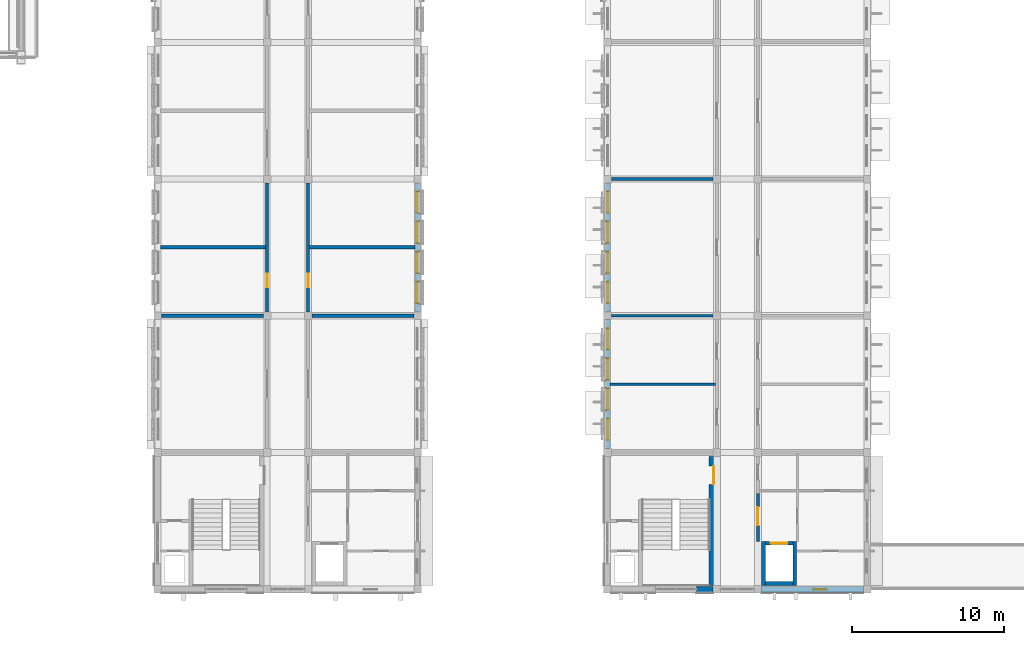
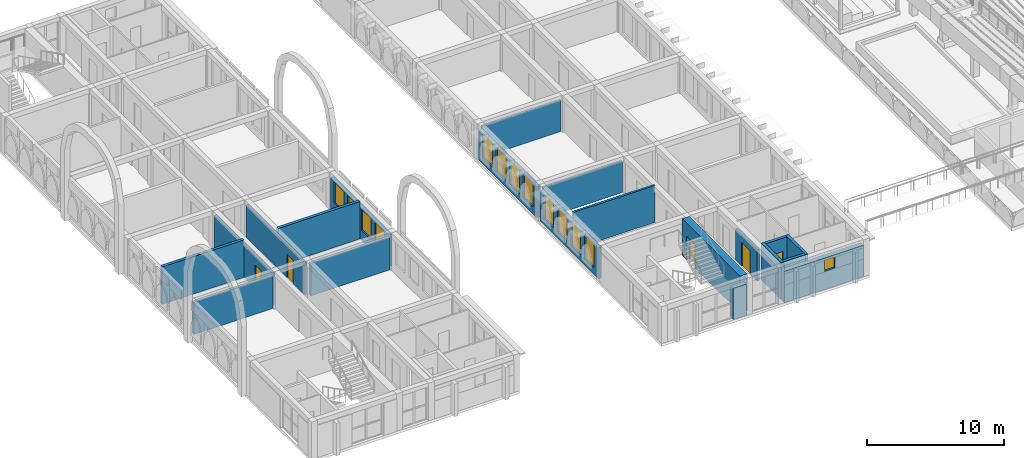
# One storey, part 39 of 65: 20 walls, 13 windows, 5 doors, 18 openings.
"""IFC4 building model written with IfcOpenShell, lengths in metres."""

from ifc_helpers import new_model, si_unit, direction, frame, frame_2d, origin, place, context, subcontext, project, spatial, rectangle, extrude, material, layer, layer_set, type_object, element, fill, save


model = new_model("IFC4")

# Units and contexts
model_context = context("Model", 3, precision=1e-05, world=origin(), true_north=direction((0.0, 1.0)))
body_context = subcontext(model_context, "Body", "Model", "MODEL_VIEW")
ifc_project = project(units=[si_unit("LENGTHUNIT", "METRE"), si_unit("AREAUNIT", "SQUARE_METRE"), si_unit("VOLUMEUNIT", "CUBIC_METRE"), si_unit("PLANEANGLEUNIT", "RADIAN"), si_unit("MASSUNIT", "GRAM", prefix="KILO")], contexts=[model_context])

# Site, building, storey
site_placement = place(None, origin())
site = spatial("IfcSite", under=ifc_project, at=site_placement, CompositionType="ELEMENT")
building_placement = place(site_placement, origin())
building = spatial("IfcBuilding", under=site, at=building_placement, Name="Elbe Cascade School", CompositionType="ELEMENT")
storey_placement = place(building_placement, frame((0.0, 0.0, 11.699951171875)))
storey = spatial("IfcBuildingStorey", under=building, at=storey_placement, Name="L03", CompositionType="ELEMENT", Elevation=11.699951171875)

# Walls
ifc_material_1 = material(Name="Masonry - lime-sand block, plastered", Category="masonry")
ifc_layer_1 = layer(ifc_material_1, 0.239990234375)
ifc_layer_set_1 = layer_set([ifc_layer_1], Name="Masonry - lime-sand block, plastered")
wall_type_1 = type_object("IfcWallType", Name="Bar acoustic partition wall lime-sand block 240", PredefinedType="PARTITIONING", material=ifc_layer_set_1)
wall_1_placement = place(storey_placement, frame((69.25, 24.0, 0.0), z_axis=(0.0, 0.0, 1.0), x_axis=(1.0, 0.0, 0.0)))
element("IfcWall", 1, at=wall_1_placement, inside=storey, type_object=wall_type_1, Name="Bar acoustic partition wall lime-sand block 240", PredefinedType="PARTITIONING", context=body_context, shape_type="SweptSolid", body=[
    extrude(rectangle(XDim=6.699951171875, YDim=0.239990234375, at=frame_2d((3.35009765625, 0.0))), origin(), (0.0, 0.0, 1.0), 2.900146484375),
])
wall_2_placement = place(storey_placement, frame((69.179931640625, 28.5, 0.0), z_axis=(0.0, 0.0, 1.0), x_axis=(1.0, 0.0, 0.0)))
element("IfcWall", 2, at=wall_2_placement, inside=storey, type_object=wall_type_1, Name="Bar acoustic partition wall lime-sand block 240", PredefinedType="PARTITIONING", context=body_context, shape_type="SweptSolid", body=[
    extrude(rectangle(XDim=6.920166015625, YDim=0.239990234375, at=frame_2d((3.4599609375, 0.0))), origin(), (0.0, 0.0, 1.0), 3.35009765625),
])
wall_3_placement = place(storey_placement, frame((79.14990234375, 24.0, 0.0), z_axis=(0.0, 0.0, 1.0), x_axis=(1.0, 0.0, 0.0)))
element("IfcWall", 3, at=wall_3_placement, inside=storey, type_object=wall_type_1, Name="Bar acoustic partition wall lime-sand block 240", PredefinedType="PARTITIONING", context=body_context, shape_type="SweptSolid", body=[
    extrude(rectangle(XDim=6.7001953125, YDim=0.239990234375, at=frame_2d((3.35009765625, 0.0))), origin(), (0.0, 0.0, 1.0), 2.900146484375),
])
wall_4_placement = place(storey_placement, frame((79.0, 28.5, 0.0), z_axis=(0.0, 0.0, 1.0), x_axis=(1.0, 0.0, 0.0)))
element("IfcWall", 4, at=wall_4_placement, inside=storey, type_object=wall_type_1, Name="Bar acoustic partition wall lime-sand block 240", PredefinedType="PARTITIONING", context=body_context, shape_type="SweptSolid", body=[
    extrude(rectangle(XDim=6.919921875, YDim=0.239990234375, at=frame_2d((3.4599609375, 0.0))), origin(), (0.0, 0.0, 1.0), 3.35009765625),
])
ifc_material_2 = material(Name="Masonry - lime-sand block, plastered", Category="masonry")
ifc_layer_2 = layer(ifc_material_2, 0.175048828125)
ifc_layer_set_2 = layer_set([ifc_layer_2], Name="Masonry - lime-sand block, plastered")
wall_type_2 = type_object("IfcWallType", Name="Bar classroom partition wall lime-sand block 175", PredefinedType="PARTITIONING", material=ifc_layer_set_2)
wall_5_placement = place(storey_placement, frame((98.780029296875, 19.5, 0.0), z_axis=(0.0, 0.0, 1.0), x_axis=(1.0, 0.0, 0.0)))
element("IfcWall", 5, at=wall_5_placement, inside=storey, type_object=wall_type_2, Name="Bar classroom partition wall lime-sand block 175", PredefinedType="PARTITIONING", context=body_context, shape_type="SweptSolid", body=[
    extrude(rectangle(XDim=6.919921875, YDim=0.175048828125, at=frame_2d((3.4599609375, 0.0))), origin(), (0.0, 0.0, 1.0), 3.300048828125),
])
for number, where, z_axis, x_axis, name in (
    (6, (98.85009765625, 24.0, 0.0), (0.0, 0.0, 1.0), (1.0, 0.0, 0.0), "Bar classroom partition wall lime-sand block 175"),
    (7, (98.85009765625, 33.0, 0.0), (0.0, 0.0, 1.0), (1.0, 0.0, 0.0), "Bar classroom partition wall lime-sand block 175"),
):
    element("IfcWall", number, at=place(storey_placement, frame(where, z_axis=z_axis, x_axis=x_axis)), inside=storey, type_object=wall_type_2, Name=name, PredefinedType="PARTITIONING", context=body_context, shape_type="SweptSolid", body=[
        extrude(rectangle(XDim=6.699951171875, YDim=0.175048828125, at=frame_2d((3.35009765625, 0.0))), origin(), (0.0, 0.0, 1.0), 2.800048828125),
    ])

# Wall, opening, door
ifc_material_3 = material(Name="Masonry - lime-sand block, plastered", Category="masonry")
ifc_layer_3 = layer(ifc_material_3, 0.199951171875)
ifc_layer_set_3 = layer_set([ifc_layer_3], Name="Masonry - lime-sand block, plastered")
wall_type_3 = type_object("IfcWallType", Name="Bar corridor wall lime-sand block 200 EI 30", PredefinedType="PARTITIONING", material=ifc_layer_set_3)
wall_6_placement = place(storey_placement, frame((76.199951171875, 24.25, 0.0), z_axis=(0.0, 0.0, 1.0), x_axis=(0.0, 1.0, 0.0)))
wall_6 = element("IfcWall", 8, at=wall_6_placement, inside=storey, type_object=wall_type_3, Name="Bar corridor wall lime-sand block 200 EI 30", PredefinedType="PARTITIONING", context=body_context, shape_type="SweptSolid", body=[
    extrude(rectangle(XDim=8.5, YDim=0.199951171875, at=frame_2d((4.25, 0.0))), origin(), (0.0, 0.0, 1.0), 2.900146484375),
])
opening_1_placement = place(wall_6_placement, frame((1.614990234375, 0.0, 0.0)))
opening_1 = element("IfcOpeningElement", 9, at=opening_1_placement, cuts=wall_6, Name="Opening D3.012", PredefinedType="OPENING", context=body_context, shape_type="SweptSolid", body=[
    extrude(rectangle(XDim=0.89990234375, YDim=2.10009765625, at=frame_2d((0.449951171875, 1.050048828125))), frame((0.0, 0.10986328125, 0.0), z_axis=(0.0, -1.0, 0.0), x_axis=(1.0, 0.0, 0.0)), (0.0, 0.0, 1.0), 0.219970703125),
])
ifc_material_4 = material(Name="Timber door leaf, fire-resisting, steel frame", Category="steel")
door_type_1 = type_object("IfcDoorType", Name="Bar door FD30 900x2100", OperationType="NOTDEFINED", PredefinedType="DOOR", material=ifc_material_4)
door_1_placement = place(opening_1_placement, origin())
door_1 = element("IfcDoor", 10, at=door_1_placement, inside=storey, type_object=door_type_1, Name="Door A3.21", OperationType="SINGLE_SWING_RIGHT", OverallHeight=2.10009765625, OverallWidth=0.89990234375, PredefinedType="DOOR", context=body_context, shape_type="SweptSolid", body=[
    extrude(rectangle(XDim=0.89990234375, YDim=2.10009765625, at=frame_2d((0.449951171875, 1.050048828125))), frame((0.0, 0.02490234375, 0.0), z_axis=(0.0, -1.0, 0.0), x_axis=(1.0, 0.0, 0.0)), (0.0, 0.0, 1.0), 0.050048828125),
])
fill(opening_1, door_1)

wall_7_placement = place(storey_placement, frame((78.89990234375, 32.75, 0.0), z_axis=(0.0, 0.0, 1.0), x_axis=(0.0, -1.0, 0.0)))
wall_7 = element("IfcWall", 11, at=wall_7_placement, inside=storey, type_object=wall_type_3, Name="Bar corridor wall lime-sand block 200 EI 30", PredefinedType="PARTITIONING", context=body_context, shape_type="SweptSolid", body=[
    extrude(rectangle(XDim=8.5, YDim=0.199951171875, at=frame_2d((4.25, 0.0))), origin(), (0.0, 0.0, 1.0), 2.900146484375),
])
opening_2_placement = place(wall_7_placement, frame((5.985107421875, 0.0, 0.0)))
opening_2 = element("IfcOpeningElement", 12, at=opening_2_placement, cuts=wall_7, Name="Opening D3.013", PredefinedType="OPENING", context=body_context, shape_type="SweptSolid", body=[
    extrude(rectangle(XDim=0.89990234375, YDim=2.10009765625, at=frame_2d((0.449951171875, 1.050048828125))), frame((0.0, 0.10986328125, 0.0), z_axis=(0.0, -1.0, 0.0), x_axis=(1.0, 0.0, 0.0)), (0.0, 0.0, 1.0), 0.219970703125),
])
door_2_placement = place(opening_2_placement, origin())
door_2 = element("IfcDoor", 13, at=door_2_placement, inside=storey, type_object=door_type_1, Name="Door A3.26", OperationType="SINGLE_SWING_LEFT", OverallHeight=2.10009765625, OverallWidth=0.89990234375, PredefinedType="DOOR", context=body_context, shape_type="SweptSolid", body=[
    extrude(rectangle(XDim=0.89990234375, YDim=2.10009765625, at=frame_2d((0.449951171875, 1.050048828125))), frame((0.0, 0.02490234375, 0.0), z_axis=(0.0, -1.0, 0.0), x_axis=(1.0, 0.0, 0.0)), (0.0, 0.0, 1.0), 0.050048828125),
])
fill(opening_2, door_2)

wall_8_placement = place(storey_placement, frame((108.5, 12.300048828125, 0.0), z_axis=(0.0, 0.0, 1.0), x_axis=(0.0, -1.0, 0.0)))
wall_8 = element("IfcWall", 14, at=wall_8_placement, inside=storey, type_object=wall_type_3, Name="Bar corridor wall lime-sand block 200 EI 30", PredefinedType="PARTITIONING", context=body_context, shape_type="SweptSolid", body=[
    extrude(rectangle(XDim=3.150146484375, YDim=0.199951171875, at=frame_2d((1.5751953125, 0.0))), origin(), (0.0, 0.0, 1.0), 2.800048828125),
])
opening_3_placement = place(wall_8_placement, frame((0.89990234375, 0.0, 0.0)))
opening_3 = element("IfcOpeningElement", 15, at=opening_3_placement, cuts=wall_8, Name="Opening D3.033", PredefinedType="OPENING", context=body_context, shape_type="SweptSolid", body=[
    extrude(rectangle(XDim=1.199951171875, YDim=2.10009765625, at=frame_2d((0.60009765625, 1.050048828125))), frame((0.0, 0.10986328125, 0.0), z_axis=(0.0, -1.0, 0.0), x_axis=(1.0, 0.0, 0.0)), (0.0, 0.0, 1.0), 0.219970703125),
])
ifc_material_5 = material(Name="Timber door leaf, fire-resisting and smoke-tight, steel frame", Category="steel")
door_type_2 = type_object("IfcDoorType", Name="Bar door FD30S 1200x2100", OperationType="NOTDEFINED", PredefinedType="DOOR", material=ifc_material_5)
door_3_placement = place(opening_3_placement, origin())
door_3 = element("IfcDoor", 16, at=door_3_placement, inside=storey, type_object=door_type_2, Name="Door B3.06", OperationType="SINGLE_SWING_LEFT", OverallHeight=2.10009765625, OverallWidth=1.199951171875, PredefinedType="DOOR", context=body_context, shape_type="SweptSolid", body=[
    extrude(rectangle(XDim=1.199951171875, YDim=2.10009765625, at=frame_2d((0.60009765625, 1.050048828125))), frame((0.0, 0.02490234375, 0.0), z_axis=(0.0, -1.0, 0.0), x_axis=(1.0, 0.0, 0.0)), (0.0, 0.0, 1.0), 0.050048828125),
])
fill(opening_3, door_3)

ifc_material_6 = material(Name="Concrete C30/37", Category="concrete")
ifc_layer_4 = layer(ifc_material_6, 0.60009765625)
ifc_layer_set_4 = layer_set([ifc_layer_4], Name="Concrete C30/37")
wall_type_4 = type_object("IfcWallType", Name="Bar stair core wall RC 600", PredefinedType="SOLIDWALL", material=ifc_layer_set_4)
wall_9_placement = place(storey_placement, frame((105.60009765625, 6.25, 0.0), z_axis=(0.0, 0.0, 1.0), x_axis=(0.0, 1.0, 0.0)))
wall_9 = element("IfcWall", 17, at=wall_9_placement, inside=storey, type_object=wall_type_4, Name="Bar stair core wall RC 600", PredefinedType="SOLIDWALL", context=body_context, shape_type="SweptSolid", body=[
    extrude(rectangle(XDim=8.5, YDim=0.60009765625, at=frame_2d((4.25, 0.0))), origin(), (0.0, 0.0, 1.0), 3.300048828125),
])
opening_4_placement = place(wall_9_placement, frame((6.64990234375, 0.0, 0.0)))
opening_4 = element("IfcOpeningElement", 18, at=opening_4_placement, cuts=wall_9, Name="Opening D3.036", PredefinedType="OPENING", context=body_context, shape_type="SweptSolid", body=[
    extrude(rectangle(XDim=1.199951171875, YDim=2.10009765625, at=frame_2d((0.60009765625, 1.050048828125))), frame((0.0, 0.31005859375, 0.0), z_axis=(0.0, -1.0, 0.0), x_axis=(1.0, 0.0, 0.0)), (0.0, 0.0, 1.0), 0.6201171875),
])
door_4_placement = place(opening_4_placement, origin())
door_4 = element("IfcDoor", 19, at=door_4_placement, inside=storey, type_object=door_type_2, Name="Door B3.03", OperationType="SINGLE_SWING_RIGHT", OverallHeight=2.10009765625, OverallWidth=1.199951171875, PredefinedType="DOOR", context=body_context, shape_type="SweptSolid", body=[
    extrude(rectangle(XDim=1.199951171875, YDim=2.10009765625, at=frame_2d((0.60009765625, 1.050048828125))), frame((0.0, 0.02490234375, 0.0), z_axis=(0.0, -1.0, 0.0), x_axis=(1.0, 0.0, 0.0)), (0.0, 0.0, 1.0), 0.050048828125),
])
fill(opening_4, door_4)

# Wall, openings, windows
ifc_material_7 = material(Name="Brick masonry - red clinker, cavity wall with render backing", Category="masonry")
ifc_layer_5 = layer(ifc_material_7, 0.300048828125)
ifc_layer_set_5 = layer_set([ifc_layer_5], Name="Brick masonry - red clinker, cavity wall with render backing")
wall_type_5 = type_object("IfcWallType", Name="Bars envelope External wall - clinker brick cavity, 300 upper floors", PredefinedType="STANDARD", material=ifc_layer_set_5)
wall_10_placement = place(storey_placement, frame((86.070068359375, 32.75, 0.0), z_axis=(0.0, 0.0, 1.0), x_axis=(0.0, -1.0, 0.0)))
wall_10 = element("IfcWall", 20, at=wall_10_placement, inside=storey, type_object=wall_type_5, Name="External wall W30 A.L03.e3", PredefinedType="STANDARD", context=body_context, shape_type="SweptSolid", body=[
    extrude(rectangle(XDim=8.5, YDim=0.300048828125, at=frame_2d((4.25, 0.0))), origin(), (0.0, 0.0, 1.0), 2.85009765625),
])
opening_5_placement = place(wall_10_placement, frame((6.52001953125, 0.0, 0.89990234375)))
opening_5 = element("IfcOpeningElement", 21, at=opening_5_placement, cuts=wall_10, Name="Opening W3.013", PredefinedType="OPENING", context=body_context, shape_type="SweptSolid", body=[
    extrude(rectangle(XDim=1.39990234375, YDim=1.89990234375, at=frame_2d((0.699951171875, 0.949951171875))), frame((0.0, 0.159912109375, 0.0), z_axis=(0.0, -1.0, 0.0), x_axis=(1.0, 0.0, 0.0)), (0.0, 0.0, 1.0), 0.320068359375),
])
opening_6_placement = place(wall_10_placement, frame((4.5400390625, 0.0, 0.89990234375)))
opening_6 = element("IfcOpeningElement", 22, at=opening_6_placement, cuts=wall_10, Name="Opening W3.015", PredefinedType="OPENING", context=body_context, shape_type="SweptSolid", body=[
    extrude(rectangle(XDim=1.39990234375, YDim=1.89990234375, at=frame_2d((0.699951171875, 0.949951171875))), frame((0.0, 0.159912109375, 0.0), z_axis=(0.0, -1.0, 0.0), x_axis=(1.0, 0.0, 0.0)), (0.0, 0.0, 1.0), 0.320068359375),
])
opening_7_placement = place(wall_10_placement, frame((2.56005859375, 0.0, 0.89990234375)))
opening_7 = element("IfcOpeningElement", 23, at=opening_7_placement, cuts=wall_10, Name="Opening W3.017", PredefinedType="OPENING", context=body_context, shape_type="SweptSolid", body=[
    extrude(rectangle(XDim=1.39990234375, YDim=1.89990234375, at=frame_2d((0.699951171875, 0.949951171875))), frame((0.0, 0.159912109375, 0.0), z_axis=(0.0, -1.0, 0.0), x_axis=(1.0, 0.0, 0.0)), (0.0, 0.0, 1.0), 0.320068359375),
])
opening_8_placement = place(wall_10_placement, frame((0.580078125, 0.0, 0.89990234375)))
opening_8 = element("IfcOpeningElement", 24, at=opening_8_placement, cuts=wall_10, Name="Opening W3.019", PredefinedType="OPENING", context=body_context, shape_type="SweptSolid", body=[
    extrude(rectangle(XDim=1.39990234375, YDim=1.89990234375, at=frame_2d((0.699951171875, 0.949951171875))), frame((0.0, 0.159912109375, 0.0), z_axis=(0.0, -1.0, 0.0), x_axis=(1.0, 0.0, 0.0)), (0.0, 0.0, 1.0), 0.320068359375),
])
ifc_material_8 = material(Name="Aluminium frame with double glazing, bronze anodised", Category="aluminium")
window_type_1 = type_object("IfcWindowType", Name="Bars envelope Window 1400 x 1900, laboratory and office, bench height sill, aluminium double glazed", PartitioningType="DOUBLE_PANEL_VERTICAL", PredefinedType="WINDOW", material=ifc_material_8)
window_1_placement = place(opening_5_placement, origin())
window_1 = element("IfcWindow", 25, at=window_1_placement, inside=storey, type_object=window_type_1, Name="Window WN6 A.L03.e3.1", OverallHeight=1.89990234375, OverallWidth=1.39990234375, PartitioningType="DOUBLE_PANEL_VERTICAL", PredefinedType="WINDOW", context=body_context, shape_type="SweptSolid", body=[
    extrude(rectangle(XDim=1.39990234375, YDim=1.89990234375, at=frame_2d((0.699951171875, 0.949951171875))), frame((0.0, 0.030029296875, 0.0), z_axis=(0.0, -1.0, 0.0), x_axis=(1.0, 0.0, 0.0)), (0.0, 0.0, 1.0), 0.06005859375),
])
fill(opening_5, window_1)
window_2_placement = place(opening_6_placement, origin())
window_2 = element("IfcWindow", 26, at=window_2_placement, inside=storey, type_object=window_type_1, Name="Window WN6 A.L03.e3.2", OverallHeight=1.89990234375, OverallWidth=1.39990234375, PartitioningType="DOUBLE_PANEL_VERTICAL", PredefinedType="WINDOW", context=body_context, shape_type="SweptSolid", body=[
    extrude(rectangle(XDim=1.39990234375, YDim=1.89990234375, at=frame_2d((0.699951171875, 0.949951171875))), frame((0.0, 0.030029296875, 0.0), z_axis=(0.0, -1.0, 0.0), x_axis=(1.0, 0.0, 0.0)), (0.0, 0.0, 1.0), 0.06005859375),
])
fill(opening_6, window_2)
window_3_placement = place(opening_7_placement, origin())
window_3 = element("IfcWindow", 27, at=window_3_placement, inside=storey, type_object=window_type_1, Name="Window WN6 A.L03.e3.3", OverallHeight=1.89990234375, OverallWidth=1.39990234375, PartitioningType="DOUBLE_PANEL_VERTICAL", PredefinedType="WINDOW", context=body_context, shape_type="SweptSolid", body=[
    extrude(rectangle(XDim=1.39990234375, YDim=1.89990234375, at=frame_2d((0.699951171875, 0.949951171875))), frame((0.0, 0.030029296875, 0.0), z_axis=(0.0, -1.0, 0.0), x_axis=(1.0, 0.0, 0.0)), (0.0, 0.0, 1.0), 0.06005859375),
])
fill(opening_7, window_3)
window_4_placement = place(opening_8_placement, origin())
window_4 = element("IfcWindow", 28, at=window_4_placement, inside=storey, type_object=window_type_1, Name="Window WN6 A.L03.e3.4", OverallHeight=1.89990234375, OverallWidth=1.39990234375, PartitioningType="DOUBLE_PANEL_VERTICAL", PredefinedType="WINDOW", context=body_context, shape_type="SweptSolid", body=[
    extrude(rectangle(XDim=1.39990234375, YDim=1.89990234375, at=frame_2d((0.699951171875, 0.949951171875))), frame((0.0, 0.030029296875, 0.0), z_axis=(0.0, -1.0, 0.0), x_axis=(1.0, 0.0, 0.0)), (0.0, 0.0, 1.0), 0.06005859375),
])
fill(opening_8, window_4)

wall_11_placement = place(storey_placement, frame((98.6298828125, 15.25, 0.0), z_axis=(0.0, 0.0, 1.0), x_axis=(0.0, 1.0, 0.0)))
wall_11 = element("IfcWall", 29, at=wall_11_placement, inside=storey, type_object=wall_type_5, Name="External wall W30 B.L03.w2", PredefinedType="STANDARD", context=body_context, shape_type="SweptSolid", body=[
    extrude(rectangle(XDim=8.5, YDim=0.300048828125, at=frame_2d((4.25, 0.0))), origin(), (0.0, 0.0, 1.0), 2.75),
])
opening_9_placement = place(wall_11_placement, frame((0.580078125, 0.0, 0.60009765625)))
opening_9 = element("IfcOpeningElement", 30, at=opening_9_placement, cuts=wall_11, Name="Opening W3.042", PredefinedType="OPENING", context=body_context, shape_type="SweptSolid", body=[
    extrude(rectangle(XDim=1.39990234375, YDim=2.10009765625, at=frame_2d((0.699951171875, 1.050048828125))), frame((0.0, 0.159912109375, 0.0), z_axis=(0.0, -1.0, 0.0), x_axis=(1.0, 0.0, 0.0)), (0.0, 0.0, 1.0), 0.320068359375),
])
opening_10_placement = place(wall_11_placement, frame((2.56005859375, 0.0, 0.60009765625)))
opening_10 = element("IfcOpeningElement", 31, at=opening_10_placement, cuts=wall_11, Name="Opening W3.044", PredefinedType="OPENING", context=body_context, shape_type="SweptSolid", body=[
    extrude(rectangle(XDim=1.39990234375, YDim=2.10009765625, at=frame_2d((0.699951171875, 1.050048828125))), frame((0.0, 0.159912109375, 0.0), z_axis=(0.0, -1.0, 0.0), x_axis=(1.0, 0.0, 0.0)), (0.0, 0.0, 1.0), 0.320068359375),
])
opening_11_placement = place(wall_11_placement, frame((4.5400390625, 0.0, 0.60009765625)))
opening_11 = element("IfcOpeningElement", 32, at=opening_11_placement, cuts=wall_11, Name="Opening W3.046", PredefinedType="OPENING", context=body_context, shape_type="SweptSolid", body=[
    extrude(rectangle(XDim=1.39990234375, YDim=2.10009765625, at=frame_2d((0.699951171875, 1.050048828125))), frame((0.0, 0.159912109375, 0.0), z_axis=(0.0, -1.0, 0.0), x_axis=(1.0, 0.0, 0.0)), (0.0, 0.0, 1.0), 0.320068359375),
])
opening_12_placement = place(wall_11_placement, frame((6.52001953125, 0.0, 0.60009765625)))
opening_12 = element("IfcOpeningElement", 33, at=opening_12_placement, cuts=wall_11, Name="Opening W3.048", PredefinedType="OPENING", context=body_context, shape_type="SweptSolid", body=[
    extrude(rectangle(XDim=1.39990234375, YDim=2.10009765625, at=frame_2d((0.699951171875, 1.050048828125))), frame((0.0, 0.159912109375, 0.0), z_axis=(0.0, -1.0, 0.0), x_axis=(1.0, 0.0, 0.0)), (0.0, 0.0, 1.0), 0.320068359375),
])
ifc_material_9 = material(Name="Aluminium frame with double glazing, bronze anodised", Category="aluminium")
window_type_2 = type_object("IfcWindowType", Name="Bars envelope Window 1400 x 2100, classroom, aluminium double glazed", PartitioningType="DOUBLE_PANEL_VERTICAL", PredefinedType="WINDOW", material=ifc_material_9)
window_5_placement = place(opening_9_placement, origin())
window_5 = element("IfcWindow", 34, at=window_5_placement, inside=storey, type_object=window_type_2, Name="Window WN8 B.L03.w2.1", OverallHeight=2.10009765625, OverallWidth=1.39990234375, PartitioningType="DOUBLE_PANEL_VERTICAL", PredefinedType="WINDOW", context=body_context, shape_type="SweptSolid", body=[
    extrude(rectangle(XDim=1.39990234375, YDim=2.10009765625, at=frame_2d((0.699951171875, 1.050048828125))), frame((0.0, 0.030029296875, 0.0), z_axis=(0.0, -1.0, 0.0), x_axis=(1.0, 0.0, 0.0)), (0.0, 0.0, 1.0), 0.06005859375),
])
fill(opening_9, window_5)
window_6_placement = place(opening_10_placement, origin())
window_6 = element("IfcWindow", 35, at=window_6_placement, inside=storey, type_object=window_type_2, Name="Window WN8 B.L03.w2.2", OverallHeight=2.10009765625, OverallWidth=1.39990234375, PartitioningType="DOUBLE_PANEL_VERTICAL", PredefinedType="WINDOW", context=body_context, shape_type="SweptSolid", body=[
    extrude(rectangle(XDim=1.39990234375, YDim=2.10009765625, at=frame_2d((0.699951171875, 1.050048828125))), frame((0.0, 0.030029296875, 0.0), z_axis=(0.0, -1.0, 0.0), x_axis=(1.0, 0.0, 0.0)), (0.0, 0.0, 1.0), 0.06005859375),
])
fill(opening_10, window_6)
window_7_placement = place(opening_11_placement, origin())
window_7 = element("IfcWindow", 36, at=window_7_placement, inside=storey, type_object=window_type_2, Name="Window WN8 B.L03.w2.3", OverallHeight=2.10009765625, OverallWidth=1.39990234375, PartitioningType="DOUBLE_PANEL_VERTICAL", PredefinedType="WINDOW", context=body_context, shape_type="SweptSolid", body=[
    extrude(rectangle(XDim=1.39990234375, YDim=2.10009765625, at=frame_2d((0.699951171875, 1.050048828125))), frame((0.0, 0.030029296875, 0.0), z_axis=(0.0, -1.0, 0.0), x_axis=(1.0, 0.0, 0.0)), (0.0, 0.0, 1.0), 0.06005859375),
])
fill(opening_11, window_7)
window_8_placement = place(opening_12_placement, origin())
window_8 = element("IfcWindow", 37, at=window_8_placement, inside=storey, type_object=window_type_2, Name="Window WN8 B.L03.w2.4", OverallHeight=2.10009765625, OverallWidth=1.39990234375, PartitioningType="DOUBLE_PANEL_VERTICAL", PredefinedType="WINDOW", context=body_context, shape_type="SweptSolid", body=[
    extrude(rectangle(XDim=1.39990234375, YDim=2.10009765625, at=frame_2d((0.699951171875, 1.050048828125))), frame((0.0, 0.030029296875, 0.0), z_axis=(0.0, -1.0, 0.0), x_axis=(1.0, 0.0, 0.0)), (0.0, 0.0, 1.0), 0.06005859375),
])
fill(opening_12, window_8)

wall_12_placement = place(storey_placement, frame((98.6298828125, 24.25, 0.0), z_axis=(0.0, 0.0, 1.0), x_axis=(0.0, 1.0, 0.0)))
wall_12 = element("IfcWall", 38, at=wall_12_placement, inside=storey, type_object=wall_type_5, Name="External wall W30 B.L03.w3", PredefinedType="STANDARD", context=body_context, shape_type="SweptSolid", body=[
    extrude(rectangle(XDim=8.5, YDim=0.300048828125, at=frame_2d((4.25, 0.0))), origin(), (0.0, 0.0, 1.0), 2.75),
])
opening_13_placement = place(wall_12_placement, frame((0.580078125, 0.0, 0.60009765625)))
opening_13 = element("IfcOpeningElement", 39, at=opening_13_placement, cuts=wall_12, Name="Opening W3.050", PredefinedType="OPENING", context=body_context, shape_type="SweptSolid", body=[
    extrude(rectangle(XDim=1.39990234375, YDim=2.10009765625, at=frame_2d((0.699951171875, 1.050048828125))), frame((0.0, 0.159912109375, 0.0), z_axis=(0.0, -1.0, 0.0), x_axis=(1.0, 0.0, 0.0)), (0.0, 0.0, 1.0), 0.320068359375),
])
opening_14_placement = place(wall_12_placement, frame((2.56005859375, 0.0, 0.60009765625)))
opening_14 = element("IfcOpeningElement", 40, at=opening_14_placement, cuts=wall_12, Name="Opening W3.052", PredefinedType="OPENING", context=body_context, shape_type="SweptSolid", body=[
    extrude(rectangle(XDim=1.39990234375, YDim=2.10009765625, at=frame_2d((0.699951171875, 1.050048828125))), frame((0.0, 0.159912109375, 0.0), z_axis=(0.0, -1.0, 0.0), x_axis=(1.0, 0.0, 0.0)), (0.0, 0.0, 1.0), 0.320068359375),
])
opening_15_placement = place(wall_12_placement, frame((4.5400390625, 0.0, 0.60009765625)))
opening_15 = element("IfcOpeningElement", 41, at=opening_15_placement, cuts=wall_12, Name="Opening W3.054", PredefinedType="OPENING", context=body_context, shape_type="SweptSolid", body=[
    extrude(rectangle(XDim=1.39990234375, YDim=2.10009765625, at=frame_2d((0.699951171875, 1.050048828125))), frame((0.0, 0.159912109375, 0.0), z_axis=(0.0, -1.0, 0.0), x_axis=(1.0, 0.0, 0.0)), (0.0, 0.0, 1.0), 0.320068359375),
])
opening_16_placement = place(wall_12_placement, frame((6.52001953125, 0.0, 0.60009765625)))
opening_16 = element("IfcOpeningElement", 42, at=opening_16_placement, cuts=wall_12, Name="Opening W3.056", PredefinedType="OPENING", context=body_context, shape_type="SweptSolid", body=[
    extrude(rectangle(XDim=1.39990234375, YDim=2.10009765625, at=frame_2d((0.699951171875, 1.050048828125))), frame((0.0, 0.159912109375, 0.0), z_axis=(0.0, -1.0, 0.0), x_axis=(1.0, 0.0, 0.0)), (0.0, 0.0, 1.0), 0.320068359375),
])
window_9_placement = place(opening_13_placement, origin())
window_9 = element("IfcWindow", 43, at=window_9_placement, inside=storey, type_object=window_type_2, Name="Window WN8 B.L03.w3.1", OverallHeight=2.10009765625, OverallWidth=1.39990234375, PartitioningType="DOUBLE_PANEL_VERTICAL", PredefinedType="WINDOW", context=body_context, shape_type="SweptSolid", body=[
    extrude(rectangle(XDim=1.39990234375, YDim=2.10009765625, at=frame_2d((0.699951171875, 1.050048828125))), frame((0.0, 0.030029296875, 0.0), z_axis=(0.0, -1.0, 0.0), x_axis=(1.0, 0.0, 0.0)), (0.0, 0.0, 1.0), 0.06005859375),
])
fill(opening_13, window_9)
window_10_placement = place(opening_14_placement, origin())
window_10 = element("IfcWindow", 44, at=window_10_placement, inside=storey, type_object=window_type_2, Name="Window WN8 B.L03.w3.2", OverallHeight=2.10009765625, OverallWidth=1.39990234375, PartitioningType="DOUBLE_PANEL_VERTICAL", PredefinedType="WINDOW", context=body_context, shape_type="SweptSolid", body=[
    extrude(rectangle(XDim=1.39990234375, YDim=2.10009765625, at=frame_2d((0.699951171875, 1.050048828125))), frame((0.0, 0.030029296875, 0.0), z_axis=(0.0, -1.0, 0.0), x_axis=(1.0, 0.0, 0.0)), (0.0, 0.0, 1.0), 0.06005859375),
])
fill(opening_14, window_10)
window_11_placement = place(opening_15_placement, origin())
window_11 = element("IfcWindow", 45, at=window_11_placement, inside=storey, type_object=window_type_2, Name="Window WN8 B.L03.w3.3", OverallHeight=2.10009765625, OverallWidth=1.39990234375, PartitioningType="DOUBLE_PANEL_VERTICAL", PredefinedType="WINDOW", context=body_context, shape_type="SweptSolid", body=[
    extrude(rectangle(XDim=1.39990234375, YDim=2.10009765625, at=frame_2d((0.699951171875, 1.050048828125))), frame((0.0, 0.030029296875, 0.0), z_axis=(0.0, -1.0, 0.0), x_axis=(1.0, 0.0, 0.0)), (0.0, 0.0, 1.0), 0.06005859375),
])
fill(opening_15, window_11)
window_12_placement = place(opening_16_placement, origin())
window_12 = element("IfcWindow", 46, at=window_12_placement, inside=storey, type_object=window_type_2, Name="Window WN8 B.L03.w3.4", OverallHeight=2.10009765625, OverallWidth=1.39990234375, PartitioningType="DOUBLE_PANEL_VERTICAL", PredefinedType="WINDOW", context=body_context, shape_type="SweptSolid", body=[
    extrude(rectangle(XDim=1.39990234375, YDim=2.10009765625, at=frame_2d((0.699951171875, 1.050048828125))), frame((0.0, 0.030029296875, 0.0), z_axis=(0.0, -1.0, 0.0), x_axis=(1.0, 0.0, 0.0)), (0.0, 0.0, 1.0), 0.06005859375),
])
fill(opening_16, window_12)

# Wall
ifc_material_10 = material(Name="Brick masonry - red clinker, solid, sandstone-faced", Category="masonry")
ifc_layer_6 = layer(ifc_material_10, 0.39990234375)
ifc_layer_set_6 = layer_set([ifc_layer_6], Name="Brick masonry - red clinker, solid, sandstone-faced")
wall_type_6 = type_object("IfcWallType", Name="Bars envelope External wall - solid masonry core strip, sandstone faced, 400", PredefinedType="STANDARD", material=ifc_layer_set_6)
wall_13_placement = place(storey_placement, frame((105.550048828125, 5.97998046875, 0.0), z_axis=(0.0, 0.0, 1.0), x_axis=(-1.0, 0.0, 0.0)))
element("IfcWall", 47, at=wall_13_placement, inside=storey, type_object=wall_type_6, Name="External wall W31 B.L03.s1b", PredefinedType="STANDARD", context=body_context, shape_type="SweptSolid", body=[
    extrude(rectangle(XDim=1.10009765625, YDim=0.39990234375, at=frame_2d((0.550048828125, 0.0))), origin(), (0.0, 0.0, 1.0), 2.800048828125),
])

# Wall, opening, window
wall_14_placement = place(storey_placement, frame((115.449951171875, 5.97998046875, 0.0), z_axis=(0.0, 0.0, 1.0), x_axis=(-1.0, 0.0, 0.0)))
wall_14 = element("IfcWall", 48, at=wall_14_placement, inside=storey, type_object=wall_type_6, Name="External wall W31 B.L03.s3", PredefinedType="STANDARD", context=body_context, shape_type="SweptSolid", body=[
    extrude(rectangle(XDim=6.699951171875, YDim=0.39990234375, at=frame_2d((3.35009765625, 0.0))), origin(), (0.0, 0.0, 1.0), 2.800048828125),
])
opening_17_placement = place(wall_14_placement, frame((2.39990234375, 0.0, 1.60009765625)))
opening_17 = element("IfcOpeningElement", 49, at=opening_17_placement, cuts=wall_14, Name="Opening W3.039", PredefinedType="OPENING", context=body_context, shape_type="SweptSolid", body=[
    extrude(rectangle(XDim=0.89990234375, YDim=1.0, at=frame_2d((0.449951171875, 0.5))), frame((0.0, 0.2099609375, 0.0), z_axis=(0.0, -1.0, 0.0), x_axis=(1.0, 0.0, 0.0)), (0.0, 0.0, 1.0), 0.419921875),
])
ifc_material_11 = material(Name="Aluminium frame with double glazing, bronze anodised", Category="aluminium")
window_type_3 = type_object("IfcWindowType", Name="Bars envelope Window 900 x 1000, WC and service room, high level, aluminium double glazed", PartitioningType="SINGLE_PANEL", PredefinedType="WINDOW", material=ifc_material_11)
window_13_placement = place(opening_17_placement, origin())
window_13 = element("IfcWindow", 50, at=window_13_placement, inside=storey, type_object=window_type_3, Name="Window WN4 B.L03.s3.1", OverallHeight=1.0, OverallWidth=0.89990234375, PartitioningType="SINGLE_PANEL", PredefinedType="WINDOW", context=body_context, shape_type="SweptSolid", body=[
    extrude(rectangle(XDim=0.89990234375, YDim=1.0, at=frame_2d((0.449951171875, 0.5))), frame((0.0, 0.030029296875, 0.0), z_axis=(0.0, -1.0, 0.0), x_axis=(1.0, 0.0, 0.0)), (0.0, 0.0, 1.0), 0.06005859375),
])
fill(opening_17, window_13)

# Walls
ifc_material_12 = material(Name="Concrete C30/37", Category="concrete")
ifc_layer_7 = layer(ifc_material_12, 0.25)
ifc_layer_set_7 = layer_set([ifc_layer_7], Name="Concrete C30/37")
wall_type_7 = type_object("IfcWallType", Name="Shaft wall 250", PredefinedType="SHEAR", material=ifc_layer_set_7)
for number, where, z_axis, x_axis, name in (
    (51, (108.875, 6.25, 0.0), (0.0, 0.0, 1.0), (0.0, 1.0, 0.0), "Shaft wall 250 W1"),
    (52, (110.925048828125, 6.25, 0.0), (0.0, 0.0, 1.0), (0.0, 1.0, 0.0), "Shaft wall 250 W1"),
):
    element("IfcWall", number, at=place(storey_placement, frame(where, z_axis=z_axis, x_axis=x_axis)), inside=storey, type_object=wall_type_7, Name=name, PredefinedType="SHEAR", context=body_context, shape_type="SweptSolid", body=[
        extrude(rectangle(XDim=2.89990234375, YDim=0.25, at=frame_2d((1.449951171875, 0.0))), origin(), (0.0, 0.0, 1.0), 3.300048828125),
    ])
wall_15_placement = place(storey_placement, frame((109.0, 6.375, 0.0), z_axis=(0.0, 0.0, 1.0), x_axis=(1.0, 0.0, 0.0)))
element("IfcWall", 53, at=wall_15_placement, inside=storey, type_object=wall_type_7, Name="Shaft wall 250 W1", PredefinedType="SHEAR", context=body_context, shape_type="SweptSolid", body=[
    extrude(rectangle(XDim=1.800048828125, YDim=0.25, at=frame_2d((0.89990234375, 0.0))), origin(), (0.0, 0.0, 1.0), 3.300048828125),
])

# Wall, opening, door
wall_16_placement = place(storey_placement, frame((109.0, 9.02490234375, 0.0), z_axis=(0.0, 0.0, 1.0), x_axis=(1.0, 0.0, 0.0)))
wall_16 = element("IfcWall", 54, at=wall_16_placement, inside=storey, type_object=wall_type_7, Name="Shaft wall 250 W1", PredefinedType="SHEAR", context=body_context, shape_type="SweptSolid", body=[
    extrude(rectangle(XDim=1.800048828125, YDim=0.25, at=frame_2d((0.89990234375, 0.0))), origin(), (0.0, 0.0, 1.0), 3.300048828125),
])
opening_18_placement = place(wall_16_placement, frame((0.35009765625, 0.0, 0.0)))
opening_18 = element("IfcOpeningElement", 55, at=opening_18_placement, cuts=wall_16, Name="Opening D3.031", PredefinedType="OPENING", context=body_context, shape_type="SweptSolid", body=[
    extrude(rectangle(XDim=1.10009765625, YDim=2.10009765625, at=frame_2d((0.550048828125, 1.050048828125))), frame((0.0, 0.135009765625, 0.0), z_axis=(0.0, -1.0, 0.0), x_axis=(1.0, 0.0, 0.0)), (0.0, 0.0, 1.0), 0.27001953125),
])
ifc_material_13 = material(Name="Stainless steel sliding door leaf", Category="steel")
door_type_3 = type_object("IfcDoorType", Name="Bar lift landing door 1100x2100", OperationType="SLIDING_TO_LEFT", PredefinedType="DOOR", material=ifc_material_13)
door_5_placement = place(opening_18_placement, origin())
door_5 = element("IfcDoor", 56, at=door_5_placement, inside=storey, type_object=door_type_3, Name="Lift landing door LDB3.1", OperationType="SLIDING_TO_LEFT", OverallHeight=2.10009765625, OverallWidth=1.10009765625, PredefinedType="DOOR", context=body_context, shape_type="SweptSolid", body=[
    extrude(rectangle(XDim=1.10009765625, YDim=2.10009765625, at=frame_2d((0.550048828125, 1.050048828125))), frame((0.0, 0.02490234375, 0.0), z_axis=(0.0, -1.0, 0.0), x_axis=(1.0, 0.0, 0.0)), (0.0, 0.0, 1.0), 0.050048828125),
])
fill(opening_18, door_5)

save(model, "model.ifc")
